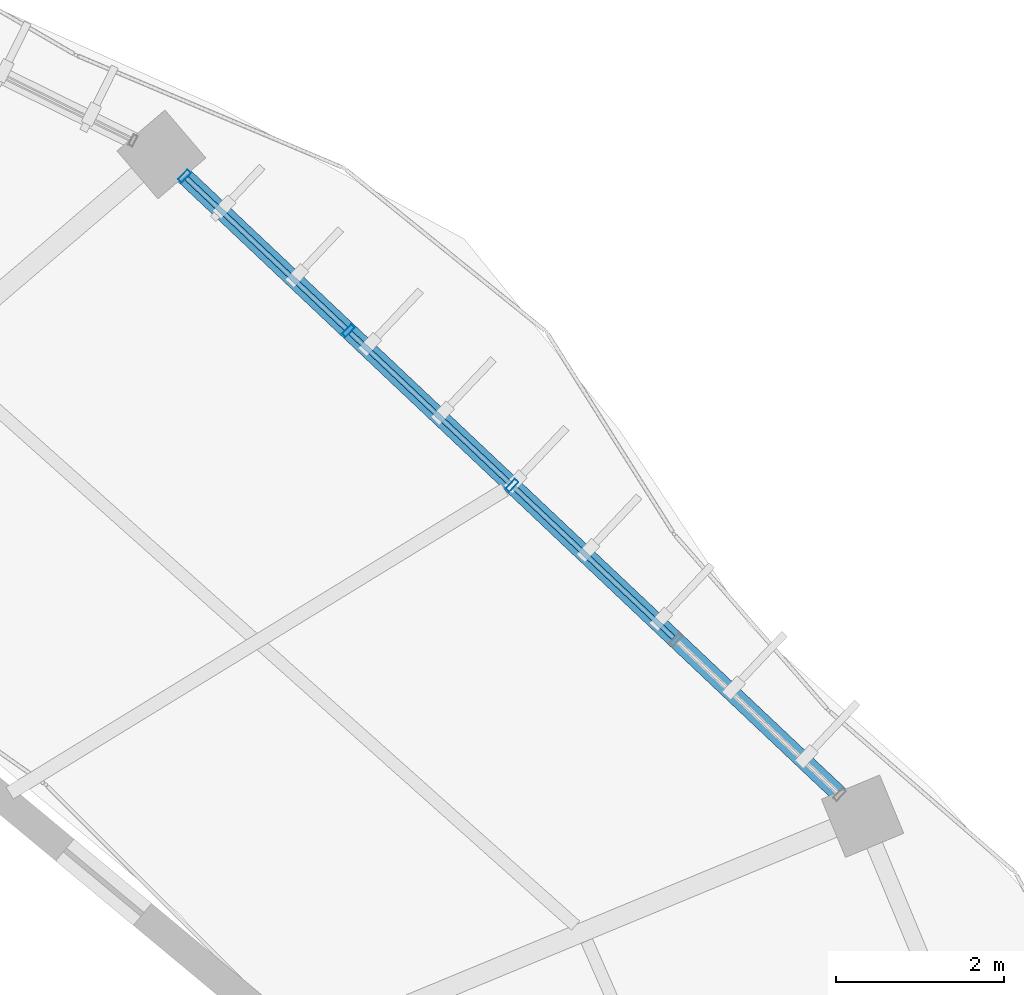
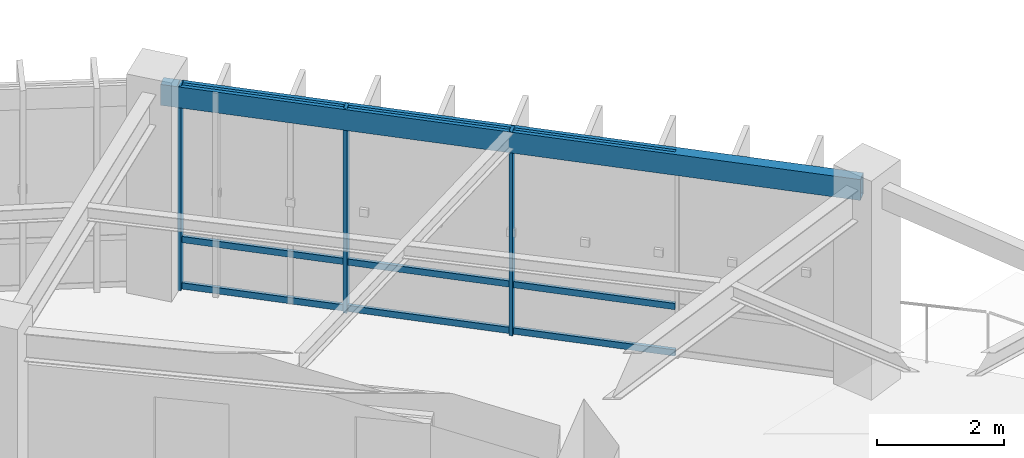
# One storey, part 108 of 152: 12 members, 1 beam, 1 element without a shape of its own.
"""IFC4 building model written with IfcOpenShell, lengths in metres."""

import ifcopenshell
import ifcopenshell.guid

model = None  # the IFC model being written
_history = None  # IfcOwnerHistory: only IFC2X3 demands one
_inside = {}  # id of a spatial element -> (the spatial element, [elements in it])
_under = {}  # id of a project, library or spatial element -> (it, [spatial elements below it])
_declared = {}  # id of a project -> (the project, [libraries it declares])
_typed = {}  # id of a type object -> (the type object, [elements of that type])
_made_of = {}  # id of a material, layer set ... -> (it, [elements and type objects made of it])


def new_model(schema):
    """Start an empty IFC model of exactly this schema.

    Asked for "IFC4X3", IfcOpenShell would pick the latest addendum, in which some entities
    have other attributes; the version numbers below select the first issue.
    IFC2X3 requires an IfcOwnerHistory on every rooted entity: one is made here for all.
    """
    global model, _history
    if schema == "IFC4X3":
        model = ifcopenshell.file(schema_version=(4, 3, 0, 0))
    else:
        model = ifcopenshell.file(schema=schema)
    _inside.clear()
    _under.clear()
    _declared.clear()
    _typed.clear()
    _made_of.clear()
    _history = None
    if model.schema == "IFC2X3":
        org = make("IfcOrganization", Name="unknown")
        user = make(
            "IfcPersonAndOrganization",
            ThePerson=make("IfcPerson", FamilyName="unknown"),
            TheOrganization=org,
        )
        app = make(
            "IfcApplication",
            ApplicationDeveloper=org,
            Version="unknown",
            ApplicationFullName="unknown",
            ApplicationIdentifier="unknown",
        )
        _history = make(
            "IfcOwnerHistory",
            OwningUser=user,
            OwningApplication=app,
            ChangeAction="ADDED",
            CreationDate=0,
        )
    return model


def make(cls, **values):
    """One entity of the class cls with the attributes given. An attribute that is None is left unset."""
    return model.create_entity(
        cls, **{name: value for name, value in values.items() if value is not None}
    )


def rooted(cls, **values):
    """An entity with a GlobalId (a new one), such as an element, a storey or a relation."""
    return make(cls, GlobalId=ifcopenshell.guid.new(), OwnerHistory=_history, **values)


def si_unit(unit_type, name, prefix=None):
    """IfcSIUnit, for example si_unit("LENGTHUNIT", "METRE", prefix="MILLI")."""
    return make("IfcSIUnit", UnitType=unit_type, Prefix=prefix, Name=name)


def assignment(units):
    """IfcUnitAssignment: the units of a project."""
    return None if units is None else make("IfcUnitAssignment", Units=units)


def point(xyz):
    """IfcCartesianPoint."""
    return None if xyz is None else make("IfcCartesianPoint", Coordinates=xyz)


def direction(xyz):
    """IfcDirection."""
    return None if xyz is None else make("IfcDirection", DirectionRatios=xyz)


def frame(location, z_axis=None, x_axis=None):
    """IfcAxis2Placement3D, a coordinate frame: its origin and axes. An axis left out is left unset."""
    return make(
        "IfcAxis2Placement3D",
        Location=point(location),
        Axis=direction(z_axis),
        RefDirection=direction(x_axis),
    )


def frame_2d(location, x_axis=None):
    """IfcAxis2Placement2D, a coordinate frame in the plane: its origin and x axis."""
    return make(
        "IfcAxis2Placement2D", Location=point(location), RefDirection=direction(x_axis)
    )


def origin():
    """The frame at (0, 0, 0) with its axes left unset."""
    return frame((0.0, 0.0, 0.0))


def origin_2d():
    """The frame at (0, 0) in the plane with its x axis left unset."""
    return frame_2d((0.0, 0.0))


def place(relative_to, where):
    """IfcLocalPlacement: puts the frame where relative to a parent placement (None: the world)."""
    return make(
        "IfcLocalPlacement", PlacementRelTo=relative_to, RelativePlacement=where
    )


def context(
    kind, dimensions, precision=None, world=None, true_north=None, identifier=None
):
    """IfcGeometricRepresentationContext, for example the 3D "Model" context."""
    return make(
        "IfcGeometricRepresentationContext",
        ContextIdentifier=identifier,
        ContextType=kind,
        CoordinateSpaceDimension=dimensions,
        Precision=precision,
        WorldCoordinateSystem=world,
        TrueNorth=true_north,
    )


def subcontext(parent, identifier, kind, view, scale=None):
    """IfcGeometricRepresentationSubContext, for example "Body" below "Model"."""
    return make(
        "IfcGeometricRepresentationSubContext",
        ContextIdentifier=identifier,
        ContextType=kind,
        ParentContext=parent,
        TargetScale=scale,
        TargetView=view,
    )


def project(units=None, contexts=None):
    """IfcProject with its units and contexts."""
    return rooted(
        "IfcProject",
        Name="project",
        RepresentationContexts=contexts,
        UnitsInContext=assignment(units),
    )


def spatial(cls, under=None, at=None, **own):
    """A site, building, storey or space (cls), placed at a placement, below another one or the project."""
    s = rooted(cls, ObjectPlacement=at, **own)
    if under is not None:
        _under.setdefault(under.id(), (under, []))[1].append(s)
    return s


def profile(cls, at=None, kind="AREA", **sizes):
    """A parametric profile (cls). Its sizes go by their IFC names, for example OverallWidth=200.0."""
    return make(cls, ProfileType=kind, Position=at, **sizes)


def hollow_rectangle(**sizes):
    """IfcRectangleHollowProfileDef."""
    return profile("IfcRectangleHollowProfileDef", **sizes)


def extrude(swept, where, along, depth):
    """IfcExtrudedAreaSolid: the profile swept, set in the frame where, extruded along a direction by depth."""
    return make(
        "IfcExtrudedAreaSolid",
        SweptArea=swept,
        Position=where,
        ExtrudedDirection=direction(along),
        Depth=depth,
    )


def shape(context_of_items, identifier, shape_type, items):
    """IfcShapeRepresentation: the items that make up one representation, for example the "Body"."""
    return make(
        "IfcShapeRepresentation",
        ContextOfItems=context_of_items,
        RepresentationIdentifier=identifier,
        RepresentationType=shape_type,
        Items=items,
    )


def material(Name=None, Category=None):
    """IfcMaterial."""
    return make("IfcMaterial", Name=Name, Category=Category)


def material_profile(
    of_material, cross_section, Name=None, Category=None, Priority=None
):
    """IfcMaterialProfile: a cross section and its material."""
    return make(
        "IfcMaterialProfile",
        Name=Name,
        Material=of_material,
        Profile=cross_section,
        Priority=Priority,
        Category=Category,
    )


def profile_set(profiles, Name=None, composite=None):
    """IfcMaterialProfileSet."""
    return make(
        "IfcMaterialProfileSet",
        Name=Name,
        MaterialProfiles=profiles,
        CompositeProfile=composite,
    )


def made_of(thing, what):
    """Note that an element or type object is made of a material, layer set ...; save() writes the relation."""
    if what is not None:
        _made_of.setdefault(what.id(), (what, []))[1].append(thing)
    return thing


def type_object(cls, material=None, **own):
    """A type object (cls), such as IfcWallType, which elements share."""
    return made_of(rooted(cls, **own), material)


def element(
    cls,
    number,
    at=None,
    inside=None,
    cuts=None,
    type_object=None,
    material=None,
    context=None,
    identifier="Body",
    shape_type=None,
    held_by="IfcProductDefinitionShape",
    body=None,
    shapes=None,
    **own,
):
    """One element of the class cls, such as IfcWall. Its Tag is "e" and its number.

    at: its placement. inside: the storey or other place that contains it. cuts: it is an
    opening in that element (IfcRelVoidsElement). A single representation is given by context,
    identifier, shape_type and body (its items); several are given by shapes. held_by: the class
    of the entity that holds the representations. save() writes the other relations.
    """
    e = rooted(cls, Tag="e%d" % number, ObjectPlacement=at, **own)
    if body is not None:
        shapes = [shape(context, identifier, shape_type, body)]
    if shapes is not None:
        e.Representation = make(held_by, Representations=shapes)
    if inside is not None:
        _inside.setdefault(inside.id(), (inside, []))[1].append(e)
    if cuts is not None:
        rooted(
            "IfcRelVoidsElement", RelatingBuildingElement=cuts, RelatedOpeningElement=e
        )
    if type_object is not None:
        _typed.setdefault(type_object.id(), (type_object, []))[1].append(e)
    return made_of(e, material)


def aggregate(whole, parts):
    """IfcRelAggregates: a whole, such as a stair, and the parts it consists of."""
    return rooted("IfcRelAggregates", RelatingObject=whole, RelatedObjects=parts)


def save(model, path):
    """Write the relations noted so far, then the file.

    IfcRelAggregates (storeys below a building ...), IfcRelContainedInSpatialStructure (elements
    in a storey), IfcRelDefinesByType, IfcRelAssociatesMaterial and IfcRelDeclares: one each for
    every whole, place, type object, material and project.
    """
    for whole, parts in _under.values():
        aggregate(whole, parts)
    for where, things in _inside.values():
        rooted(
            "IfcRelContainedInSpatialStructure",
            RelatedElements=things,
            RelatingStructure=where,
        )
    for kind, things in _typed.values():
        rooted("IfcRelDefinesByType", RelatedObjects=things, RelatingType=kind)
    for what, things in _made_of.values():
        rooted("IfcRelAssociatesMaterial", RelatedObjects=things, RelatingMaterial=what)
    for by, libraries in _declared.values():
        rooted("IfcRelDeclares", RelatingContext=by, RelatedDefinitions=libraries)
    model.write(path)


model = new_model("IFC4")

# Units and contexts
model_context = context("Model", 3, precision=1e-05, world=origin(), true_north=direction((0.0, 1.0)))
body_context = subcontext(model_context, "Body", "Model", "MODEL_VIEW")
ifc_project = project(units=[si_unit("LENGTHUNIT", "METRE"), si_unit("AREAUNIT", "SQUARE_METRE"), si_unit("VOLUMEUNIT", "CUBIC_METRE"), si_unit("PLANEANGLEUNIT", "RADIAN"), si_unit("MASSUNIT", "GRAM", prefix="KILO"), si_unit("THERMODYNAMICTEMPERATUREUNIT", "KELVIN"), si_unit("POWERUNIT", "WATT")], contexts=[model_context])

# Site, building, storey
site_placement = place(None, origin())
site = spatial("IfcSite", under=ifc_project, at=site_placement, CompositionType="ELEMENT")
building_placement = place(site_placement, origin())
building = spatial("IfcBuilding", under=site, at=building_placement, Name="Darbajah Civic Hall", CompositionType="ELEMENT")
storey_placement = place(building_placement, frame((0.0, 0.0, 5.39990234375)))
storey = spatial("IfcBuildingStorey", under=building, at=storey_placement, Name="L01", CompositionType="ELEMENT", Elevation=5.39990234375)

# Curtain wall, members
ifc_material_1 = material(Name="Anodised Bronze Aluminium and Low-E Glazing", Category="aluminium")
curtain_wall_type = type_object("IfcCurtainWallType", Name="Unitised Curtain Wall CW-19 10700x3900", PredefinedType="USERDEFINED", material=ifc_material_1)
curtain_wall_placement = place(storey_placement, origin())
curtain_wall = element("IfcCurtainWall", 1, at=curtain_wall_placement, inside=storey, type_object=curtain_wall_type, Name="L01 unitised curtain wall CW-V1O-L01-01", ObjectType="UNITISED CURTAIN WALL", PredefinedType="USERDEFINED")
ifc_material_2 = material(Name="Anodised Bronze Aluminium", Category="aluminium")
ifc_material_profile_1 = material_profile(ifc_material_2, hollow_rectangle(XDim=0.06005859375, YDim=0.159912109375, WallThickness=0.00341796875, at=origin_2d()), Name="ALU MULLION 60x160")
ifc_profile_set_1 = profile_set([ifc_material_profile_1], Name="Anodised Bronze Aluminium")
member_type_1 = type_object("IfcMemberType", Name="ALU MULLION 60x160", PredefinedType="MULLION", material=ifc_profile_set_1)
member_1_placement = place(storey_placement, frame((132.04931640625, 105.02392578125, 0.0), z_axis=(0.0, 0.0, 1.0), x_axis=(-0.727173991201, 0.686453193248, 0.0)))
member_1 = element("IfcMember", 2, at=member_1_placement, type_object=member_type_1, Name="CW-V1O-L01-01 mullion 3", PredefinedType="MULLION", context=body_context, shape_type="SweptSolid", body=[
    extrude(hollow_rectangle(XDim=0.06005859375, YDim=0.159912109375, WallThickness=0.00341796875, at=origin_2d()), origin(), (0.0, 0.0, 1.0), 3.920166015625),
])
member_2_placement = place(storey_placement, frame((130.10205078125, 106.86181640625, 0.0), z_axis=(0.0, 0.0, 1.0), x_axis=(-0.727173991201, 0.686453193248, 0.0)))
member_2 = element("IfcMember", 3, at=member_2_placement, type_object=member_type_1, Name="CW-V1O-L01-01 mullion 4", PredefinedType="MULLION", context=body_context, shape_type="SweptSolid", body=[
    extrude(hollow_rectangle(XDim=0.06005859375, YDim=0.159912109375, WallThickness=0.00341796875, at=origin_2d()), origin(), (0.0, 0.0, 1.0), 3.920166015625),
])
member_3_placement = place(storey_placement, frame((128.15478515625, 108.699951171875, 0.0), z_axis=(0.0, 0.0, 1.0), x_axis=(-0.727173991201, 0.686453193248, 0.0)))
member_3 = element("IfcMember", 4, at=member_3_placement, type_object=member_type_1, Name="CW-V1O-L01-01 mullion 5", PredefinedType="MULLION", context=body_context, shape_type="SweptSolid", body=[
    extrude(hollow_rectangle(XDim=0.06005859375, YDim=0.159912109375, WallThickness=0.00341796875, at=origin_2d()), origin(), (0.0, 0.0, 1.0), 3.920166015625),
])
ifc_material_profile_2 = material_profile(ifc_material_2, hollow_rectangle(XDim=0.06005859375, YDim=0.1201171875, WallThickness=0.003173828125, at=origin_2d()), Name="ALU TRANSOM 60x120")
ifc_profile_set_2 = profile_set([ifc_material_profile_2], Name="Anodised Bronze Aluminium")
member_type_2 = type_object("IfcMemberType", Name="ALU TRANSOM 60x120", PredefinedType="USERDEFINED", material=ifc_profile_set_2)
member_4_placement = place(storey_placement, frame((133.970947265625, 103.2099609375, 0.06005859375), z_axis=(-0.727176706438, 0.686450316931, 0.0), x_axis=(-0.686450316931, -0.727176706438, 0.0)))
member_4 = element("IfcMember", 5, at=member_4_placement, type_object=member_type_2, Name="CW-V1O-L01-01 transom 2.1", ObjectType="TRANSOM", PredefinedType="USERDEFINED", context=body_context, shape_type="SweptSolid", body=[
    extrude(hollow_rectangle(XDim=0.06005859375, YDim=0.1201171875, WallThickness=0.003173828125, at=origin_2d()), origin(), (0.0, 0.0, 1.0), 2.607666015625),
])
member_5_placement = place(storey_placement, frame((133.970947265625, 103.2099609375, 0.9501953125), z_axis=(-0.727176706438, 0.686450316931, 0.0), x_axis=(-0.686450316931, -0.727176706438, 0.0)))
member_5 = element("IfcMember", 6, at=member_5_placement, type_object=member_type_2, Name="CW-V1O-L01-01 transom 2.2", ObjectType="TRANSOM", PredefinedType="USERDEFINED", context=body_context, shape_type="SweptSolid", body=[
    extrude(hollow_rectangle(XDim=0.06005859375, YDim=0.1201171875, WallThickness=0.003173828125, at=origin_2d()), origin(), (0.0, 0.0, 1.0), 2.607666015625),
])
member_6_placement = place(storey_placement, frame((133.970947265625, 103.2099609375, 3.860107421875), z_axis=(-0.727176706438, 0.686450316931, 0.0), x_axis=(-0.686450316931, -0.727176706438, 0.0)))
member_6 = element("IfcMember", 7, at=member_6_placement, type_object=member_type_2, Name="CW-V1O-L01-01 transom 2.3", ObjectType="TRANSOM", PredefinedType="USERDEFINED", context=body_context, shape_type="SweptSolid", body=[
    extrude(hollow_rectangle(XDim=0.06005859375, YDim=0.1201171875, WallThickness=0.003173828125, at=origin_2d()), origin(), (0.0, 0.0, 1.0), 2.607666015625),
])
member_7_placement = place(storey_placement, frame((132.023681640625, 105.048095703125, 0.06005859375), z_axis=(-0.727179324188, 0.686447543861, 0.0), x_axis=(-0.686447543861, -0.727179324188, 0.0)))
member_7 = element("IfcMember", 8, at=member_7_placement, type_object=member_type_2, Name="CW-V1O-L01-01 transom 3.1", ObjectType="TRANSOM", PredefinedType="USERDEFINED", context=body_context, shape_type="SweptSolid", body=[
    extrude(hollow_rectangle(XDim=0.06005859375, YDim=0.1201171875, WallThickness=0.003173828125, at=origin_2d()), origin(), (0.0, 0.0, 1.0), 2.607421875),
])
member_8_placement = place(storey_placement, frame((132.023681640625, 105.048095703125, 0.9501953125), z_axis=(-0.727179324188, 0.686447543861, 0.0), x_axis=(-0.686447543861, -0.727179324188, 0.0)))
member_8 = element("IfcMember", 9, at=member_8_placement, type_object=member_type_2, Name="CW-V1O-L01-01 transom 3.2", ObjectType="TRANSOM", PredefinedType="USERDEFINED", context=body_context, shape_type="SweptSolid", body=[
    extrude(hollow_rectangle(XDim=0.06005859375, YDim=0.1201171875, WallThickness=0.003173828125, at=origin_2d()), origin(), (0.0, 0.0, 1.0), 2.607421875),
])
member_9_placement = place(storey_placement, frame((132.023681640625, 105.048095703125, 3.860107421875), z_axis=(-0.727179324188, 0.686447543861, 0.0), x_axis=(-0.686447543861, -0.727179324188, 0.0)))
member_9 = element("IfcMember", 10, at=member_9_placement, type_object=member_type_2, Name="CW-V1O-L01-01 transom 3.3", ObjectType="TRANSOM", PredefinedType="USERDEFINED", context=body_context, shape_type="SweptSolid", body=[
    extrude(hollow_rectangle(XDim=0.06005859375, YDim=0.1201171875, WallThickness=0.003173828125, at=origin_2d()), origin(), (0.0, 0.0, 1.0), 2.607421875),
])
member_10_placement = place(storey_placement, frame((130.07666015625, 106.885986328125, 0.06005859375), z_axis=(-0.727223442054, 0.686400805162, 0.0), x_axis=(-0.686400805162, -0.727223442054, 0.0)))
member_10 = element("IfcMember", 11, at=member_10_placement, type_object=member_type_2, Name="CW-V1O-L01-01 transom 4.1", ObjectType="TRANSOM", PredefinedType="USERDEFINED", context=body_context, shape_type="SweptSolid", body=[
    extrude(hollow_rectangle(XDim=0.06005859375, YDim=0.1201171875, WallThickness=0.003173828125, at=origin_2d()), origin(), (0.0, 0.0, 1.0), 2.607421875),
])
member_11_placement = place(storey_placement, frame((130.07666015625, 106.885986328125, 0.9501953125), z_axis=(-0.727223442054, 0.686400805162, 0.0), x_axis=(-0.686400805162, -0.727223442054, 0.0)))
member_11 = element("IfcMember", 12, at=member_11_placement, type_object=member_type_2, Name="CW-V1O-L01-01 transom 4.2", ObjectType="TRANSOM", PredefinedType="USERDEFINED", context=body_context, shape_type="SweptSolid", body=[
    extrude(hollow_rectangle(XDim=0.06005859375, YDim=0.1201171875, WallThickness=0.003173828125, at=origin_2d()), origin(), (0.0, 0.0, 1.0), 2.607421875),
])
member_12_placement = place(storey_placement, frame((130.07666015625, 106.885986328125, 3.860107421875), z_axis=(-0.727223442054, 0.686400805162, 0.0), x_axis=(-0.686400805162, -0.727223442054, 0.0)))
member_12 = element("IfcMember", 13, at=member_12_placement, type_object=member_type_2, Name="CW-V1O-L01-01 transom 4.3", ObjectType="TRANSOM", PredefinedType="USERDEFINED", context=body_context, shape_type="SweptSolid", body=[
    extrude(hollow_rectangle(XDim=0.06005859375, YDim=0.1201171875, WallThickness=0.003173828125, at=origin_2d()), origin(), (0.0, 0.0, 1.0), 2.607421875),
])
aggregate(curtain_wall, [member_1, member_2, member_3, member_4, member_5, member_6, member_7, member_8, member_9, member_10, member_11, member_12])

# Beam
ifc_material_3 = material(Name="Steel S355JR", Category="steel")
ifc_material_profile_3 = material_profile(ifc_material_3, hollow_rectangle(XDim=0.199951171875, YDim=0.39990234375, WallThickness=0.013916015625, at=origin_2d()), Name="RHS 400x200x14")
ifc_profile_set_3 = profile_set([ifc_material_profile_3], Name="Steel S355JR")
beam_type = type_object("IfcBeamType", Name="RHS 400x200x14", PredefinedType="SPANDREL", material=ifc_profile_set_3)
beam_placement = place(storey_placement, frame((136.15966796875, 101.14404296875, 3.72021484375), z_axis=(-0.727199990638, 0.686425650465, 0.0), x_axis=(-0.686425650465, -0.727199990638, 0.0)))
element("IfcBeam", 14, at=beam_placement, inside=storey, type_object=beam_type, Name="L01 beam SP-RHS400", PredefinedType="SPANDREL", context=body_context, shape_type="SweptSolid", body=[
    extrude(hollow_rectangle(XDim=0.199951171875, YDim=0.39990234375, WallThickness=0.013916015625, at=origin_2d()), origin(), (0.0, 0.0, 1.0), 11.3046875),
])

save(model, "model.ifc")
